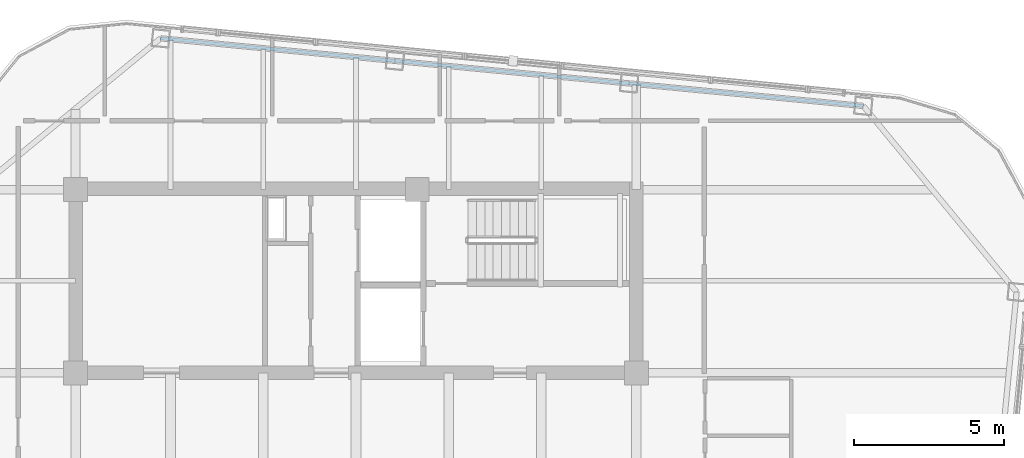
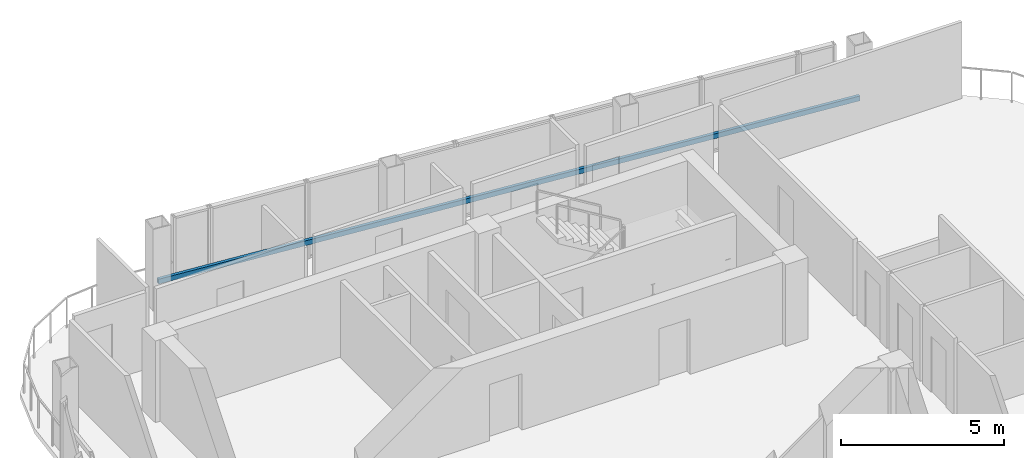
# One storey, part 18 of 27: 1 member.
"""IFC4 building model written with IfcOpenShell, lengths in metres."""

import ifcopenshell
import ifcopenshell.guid

model = None  # the IFC model being written
_history = None  # IfcOwnerHistory: only IFC2X3 demands one
_inside = {}  # id of a spatial element -> (the spatial element, [elements in it])
_under = {}  # id of a project, library or spatial element -> (it, [spatial elements below it])
_declared = {}  # id of a project -> (the project, [libraries it declares])
_typed = {}  # id of a type object -> (the type object, [elements of that type])
_made_of = {}  # id of a material, layer set ... -> (it, [elements and type objects made of it])


def new_model(schema):
    """Start an empty IFC model of exactly this schema.

    Asked for "IFC4X3", IfcOpenShell would pick the latest addendum, in which some entities
    have other attributes; the version numbers below select the first issue.
    IFC2X3 requires an IfcOwnerHistory on every rooted entity: one is made here for all.
    """
    global model, _history
    if schema == "IFC4X3":
        model = ifcopenshell.file(schema_version=(4, 3, 0, 0))
    else:
        model = ifcopenshell.file(schema=schema)
    _inside.clear()
    _under.clear()
    _declared.clear()
    _typed.clear()
    _made_of.clear()
    _history = None
    if model.schema == "IFC2X3":
        org = make("IfcOrganization", Name="unknown")
        user = make(
            "IfcPersonAndOrganization",
            ThePerson=make("IfcPerson", FamilyName="unknown"),
            TheOrganization=org,
        )
        app = make(
            "IfcApplication",
            ApplicationDeveloper=org,
            Version="unknown",
            ApplicationFullName="unknown",
            ApplicationIdentifier="unknown",
        )
        _history = make(
            "IfcOwnerHistory",
            OwningUser=user,
            OwningApplication=app,
            ChangeAction="ADDED",
            CreationDate=0,
        )
    return model


def make(cls, **values):
    """One entity of the class cls with the attributes given. An attribute that is None is left unset."""
    return model.create_entity(
        cls, **{name: value for name, value in values.items() if value is not None}
    )


def rooted(cls, **values):
    """An entity with a GlobalId (a new one), such as an element, a storey or a relation."""
    return make(cls, GlobalId=ifcopenshell.guid.new(), OwnerHistory=_history, **values)


def si_unit(unit_type, name, prefix=None):
    """IfcSIUnit, for example si_unit("LENGTHUNIT", "METRE", prefix="MILLI")."""
    return make("IfcSIUnit", UnitType=unit_type, Prefix=prefix, Name=name)


def assignment(units):
    """IfcUnitAssignment: the units of a project."""
    return None if units is None else make("IfcUnitAssignment", Units=units)


def point(xyz):
    """IfcCartesianPoint."""
    return None if xyz is None else make("IfcCartesianPoint", Coordinates=xyz)


def direction(xyz):
    """IfcDirection."""
    return None if xyz is None else make("IfcDirection", DirectionRatios=xyz)


def frame(location, z_axis=None, x_axis=None):
    """IfcAxis2Placement3D, a coordinate frame: its origin and axes. An axis left out is left unset."""
    return make(
        "IfcAxis2Placement3D",
        Location=point(location),
        Axis=direction(z_axis),
        RefDirection=direction(x_axis),
    )


def frame_2d(location, x_axis=None):
    """IfcAxis2Placement2D, a coordinate frame in the plane: its origin and x axis."""
    return make(
        "IfcAxis2Placement2D", Location=point(location), RefDirection=direction(x_axis)
    )


def origin():
    """The frame at (0, 0, 0) with its axes left unset."""
    return frame((0.0, 0.0, 0.0))


def origin_2d():
    """The frame at (0, 0) in the plane with its x axis left unset."""
    return frame_2d((0.0, 0.0))


def place(relative_to, where):
    """IfcLocalPlacement: puts the frame where relative to a parent placement (None: the world)."""
    return make(
        "IfcLocalPlacement", PlacementRelTo=relative_to, RelativePlacement=where
    )


def context(
    kind, dimensions, precision=None, world=None, true_north=None, identifier=None
):
    """IfcGeometricRepresentationContext, for example the 3D "Model" context."""
    return make(
        "IfcGeometricRepresentationContext",
        ContextIdentifier=identifier,
        ContextType=kind,
        CoordinateSpaceDimension=dimensions,
        Precision=precision,
        WorldCoordinateSystem=world,
        TrueNorth=true_north,
    )


def subcontext(parent, identifier, kind, view, scale=None):
    """IfcGeometricRepresentationSubContext, for example "Body" below "Model"."""
    return make(
        "IfcGeometricRepresentationSubContext",
        ContextIdentifier=identifier,
        ContextType=kind,
        ParentContext=parent,
        TargetScale=scale,
        TargetView=view,
    )


def project(units=None, contexts=None):
    """IfcProject with its units and contexts."""
    return rooted(
        "IfcProject",
        Name="project",
        RepresentationContexts=contexts,
        UnitsInContext=assignment(units),
    )


def spatial(cls, under=None, at=None, **own):
    """A site, building, storey or space (cls), placed at a placement, below another one or the project."""
    s = rooted(cls, ObjectPlacement=at, **own)
    if under is not None:
        _under.setdefault(under.id(), (under, []))[1].append(s)
    return s


def profile(cls, at=None, kind="AREA", **sizes):
    """A parametric profile (cls). Its sizes go by their IFC names, for example OverallWidth=200.0."""
    return make(cls, ProfileType=kind, Position=at, **sizes)


def hollow_rectangle(**sizes):
    """IfcRectangleHollowProfileDef."""
    return profile("IfcRectangleHollowProfileDef", **sizes)


def extrude(swept, where, along, depth):
    """IfcExtrudedAreaSolid: the profile swept, set in the frame where, extruded along a direction by depth."""
    return make(
        "IfcExtrudedAreaSolid",
        SweptArea=swept,
        Position=where,
        ExtrudedDirection=direction(along),
        Depth=depth,
    )


def shape(context_of_items, identifier, shape_type, items):
    """IfcShapeRepresentation: the items that make up one representation, for example the "Body"."""
    return make(
        "IfcShapeRepresentation",
        ContextOfItems=context_of_items,
        RepresentationIdentifier=identifier,
        RepresentationType=shape_type,
        Items=items,
    )


def material(Name=None, Category=None):
    """IfcMaterial."""
    return make("IfcMaterial", Name=Name, Category=Category)


def material_profile(
    of_material, cross_section, Name=None, Category=None, Priority=None
):
    """IfcMaterialProfile: a cross section and its material."""
    return make(
        "IfcMaterialProfile",
        Name=Name,
        Material=of_material,
        Profile=cross_section,
        Priority=Priority,
        Category=Category,
    )


def profile_set(profiles, Name=None, composite=None):
    """IfcMaterialProfileSet."""
    return make(
        "IfcMaterialProfileSet",
        Name=Name,
        MaterialProfiles=profiles,
        CompositeProfile=composite,
    )


def made_of(thing, what):
    """Note that an element or type object is made of a material, layer set ...; save() writes the relation."""
    if what is not None:
        _made_of.setdefault(what.id(), (what, []))[1].append(thing)
    return thing


def type_object(cls, material=None, **own):
    """A type object (cls), such as IfcWallType, which elements share."""
    return made_of(rooted(cls, **own), material)


def element(
    cls,
    number,
    at=None,
    inside=None,
    cuts=None,
    type_object=None,
    material=None,
    context=None,
    identifier="Body",
    shape_type=None,
    held_by="IfcProductDefinitionShape",
    body=None,
    shapes=None,
    **own,
):
    """One element of the class cls, such as IfcWall. Its Tag is "e" and its number.

    at: its placement. inside: the storey or other place that contains it. cuts: it is an
    opening in that element (IfcRelVoidsElement). A single representation is given by context,
    identifier, shape_type and body (its items); several are given by shapes. held_by: the class
    of the entity that holds the representations. save() writes the other relations.
    """
    e = rooted(cls, Tag="e%d" % number, ObjectPlacement=at, **own)
    if body is not None:
        shapes = [shape(context, identifier, shape_type, body)]
    if shapes is not None:
        e.Representation = make(held_by, Representations=shapes)
    if inside is not None:
        _inside.setdefault(inside.id(), (inside, []))[1].append(e)
    if cuts is not None:
        rooted(
            "IfcRelVoidsElement", RelatingBuildingElement=cuts, RelatedOpeningElement=e
        )
    if type_object is not None:
        _typed.setdefault(type_object.id(), (type_object, []))[1].append(e)
    return made_of(e, material)


def aggregate(whole, parts):
    """IfcRelAggregates: a whole, such as a stair, and the parts it consists of."""
    return rooted("IfcRelAggregates", RelatingObject=whole, RelatedObjects=parts)


def save(model, path):
    """Write the relations noted so far, then the file.

    IfcRelAggregates (storeys below a building ...), IfcRelContainedInSpatialStructure (elements
    in a storey), IfcRelDefinesByType, IfcRelAssociatesMaterial and IfcRelDeclares: one each for
    every whole, place, type object, material and project.
    """
    for whole, parts in _under.values():
        aggregate(whole, parts)
    for where, things in _inside.values():
        rooted(
            "IfcRelContainedInSpatialStructure",
            RelatedElements=things,
            RelatingStructure=where,
        )
    for kind, things in _typed.values():
        rooted("IfcRelDefinesByType", RelatedObjects=things, RelatingType=kind)
    for what, things in _made_of.values():
        rooted("IfcRelAssociatesMaterial", RelatedObjects=things, RelatingMaterial=what)
    for by, libraries in _declared.values():
        rooted("IfcRelDeclares", RelatingContext=by, RelatedDefinitions=libraries)
    model.write(path)


model = new_model("IFC4")

# Units and contexts
model_context = context("Model", 3, precision=1e-05, world=origin(), true_north=direction((0.0, 1.0)))
body_context = subcontext(model_context, "Body", "Model", "MODEL_VIEW")
ifc_project = project(units=[si_unit("LENGTHUNIT", "METRE"), si_unit("AREAUNIT", "SQUARE_METRE"), si_unit("VOLUMEUNIT", "CUBIC_METRE"), si_unit("PLANEANGLEUNIT", "RADIAN"), si_unit("MASSUNIT", "GRAM", prefix="KILO")], contexts=[model_context])

# Site, building, storey
site_placement = place(None, origin())
site = spatial("IfcSite", under=ifc_project, at=site_placement, CompositionType="ELEMENT")
building_placement = place(site_placement, origin())
building = spatial("IfcBuilding", under=site, at=building_placement, Name="Qhalaya Broadcast Tower", CompositionType="ELEMENT")
storey_placement = place(building_placement, frame((0.0, 0.0, 258.10009765625)))
storey = spatial("IfcBuildingStorey", under=building, at=storey_placement, Name="L76", CompositionType="ELEMENT", Elevation=258.10009765625)

# Member
ifc_material = material(Name="Fired Architectural Terracotta", Category="masonry")
ifc_material_profile = material_profile(ifc_material, hollow_rectangle(XDim=0.110107421875, YDim=0.179931640625, WallThickness=0.01806640625, at=origin_2d()), Name="TB-BAG 110x180x18")
ifc_profile_set = profile_set([ifc_material_profile], Name="Fired Architectural Terracotta")
member_type = type_object("IfcMemberType", Name="Fired Terracotta Facade Baguette Member TB1", PredefinedType="USERDEFINED", material=ifc_profile_set)
member_placement = place(storey_placement, frame((16.962890625, 12.74853515625, 0.85791015625), z_axis=(-0.995396131468, 0.095846447288, 0.0), x_axis=(-0.095846447288, -0.995396131468, 0.0)))
element("IfcMember", 1, at=member_placement, inside=storey, type_object=member_type, Name="L76 Terracotta Baguette Feature Rail N", ObjectType="BAGUETTE", PredefinedType="USERDEFINED", context=body_context, shape_type="SweptSolid", body=[
    extrude(hollow_rectangle(XDim=0.110107421875, YDim=0.179931640625, WallThickness=0.01806640625, at=origin_2d()), origin(), (0.0, 0.0, 1.0), 23.599853515625),
])

save(model, "model.ifc")
